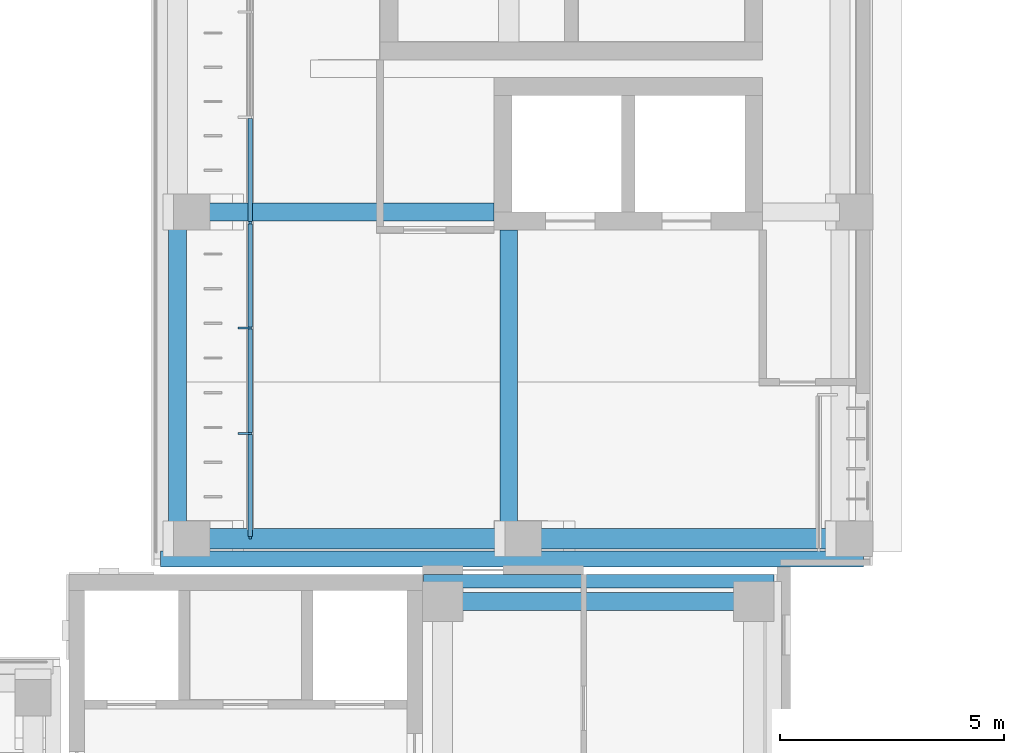
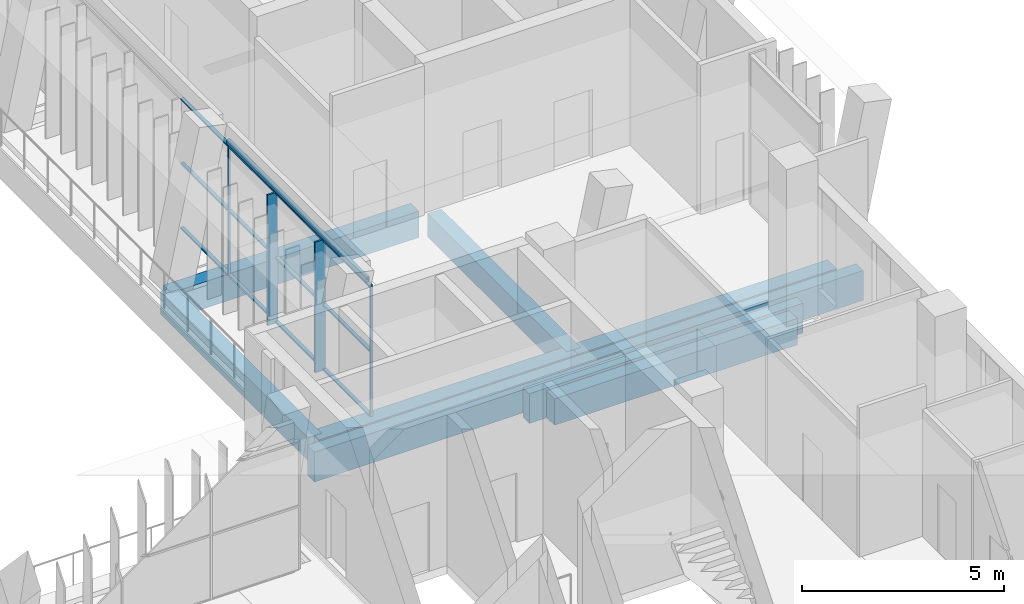
# One storey, part 77 of 141: 16 members, 9 beams, 1 element without a shape of its own.
"""IFC4 building model written with IfcOpenShell, lengths in metres."""

import ifcopenshell
import ifcopenshell.guid

model = None  # the IFC model being written
_history = None  # IfcOwnerHistory: only IFC2X3 demands one
_inside = {}  # id of a spatial element -> (the spatial element, [elements in it])
_under = {}  # id of a project, library or spatial element -> (it, [spatial elements below it])
_declared = {}  # id of a project -> (the project, [libraries it declares])
_typed = {}  # id of a type object -> (the type object, [elements of that type])
_made_of = {}  # id of a material, layer set ... -> (it, [elements and type objects made of it])


def new_model(schema):
    """Start an empty IFC model of exactly this schema.

    Asked for "IFC4X3", IfcOpenShell would pick the latest addendum, in which some entities
    have other attributes; the version numbers below select the first issue.
    IFC2X3 requires an IfcOwnerHistory on every rooted entity: one is made here for all.
    """
    global model, _history
    if schema == "IFC4X3":
        model = ifcopenshell.file(schema_version=(4, 3, 0, 0))
    else:
        model = ifcopenshell.file(schema=schema)
    _inside.clear()
    _under.clear()
    _declared.clear()
    _typed.clear()
    _made_of.clear()
    _history = None
    if model.schema == "IFC2X3":
        org = make("IfcOrganization", Name="unknown")
        user = make(
            "IfcPersonAndOrganization",
            ThePerson=make("IfcPerson", FamilyName="unknown"),
            TheOrganization=org,
        )
        app = make(
            "IfcApplication",
            ApplicationDeveloper=org,
            Version="unknown",
            ApplicationFullName="unknown",
            ApplicationIdentifier="unknown",
        )
        _history = make(
            "IfcOwnerHistory",
            OwningUser=user,
            OwningApplication=app,
            ChangeAction="ADDED",
            CreationDate=0,
        )
    return model


def make(cls, **values):
    """One entity of the class cls with the attributes given. An attribute that is None is left unset."""
    return model.create_entity(
        cls, **{name: value for name, value in values.items() if value is not None}
    )


def rooted(cls, **values):
    """An entity with a GlobalId (a new one), such as an element, a storey or a relation."""
    return make(cls, GlobalId=ifcopenshell.guid.new(), OwnerHistory=_history, **values)


def si_unit(unit_type, name, prefix=None):
    """IfcSIUnit, for example si_unit("LENGTHUNIT", "METRE", prefix="MILLI")."""
    return make("IfcSIUnit", UnitType=unit_type, Prefix=prefix, Name=name)


def assignment(units):
    """IfcUnitAssignment: the units of a project."""
    return None if units is None else make("IfcUnitAssignment", Units=units)


def point(xyz):
    """IfcCartesianPoint."""
    return None if xyz is None else make("IfcCartesianPoint", Coordinates=xyz)


def direction(xyz):
    """IfcDirection."""
    return None if xyz is None else make("IfcDirection", DirectionRatios=xyz)


def frame(location, z_axis=None, x_axis=None):
    """IfcAxis2Placement3D, a coordinate frame: its origin and axes. An axis left out is left unset."""
    return make(
        "IfcAxis2Placement3D",
        Location=point(location),
        Axis=direction(z_axis),
        RefDirection=direction(x_axis),
    )


def frame_2d(location, x_axis=None):
    """IfcAxis2Placement2D, a coordinate frame in the plane: its origin and x axis."""
    return make(
        "IfcAxis2Placement2D", Location=point(location), RefDirection=direction(x_axis)
    )


def origin():
    """The frame at (0, 0, 0) with its axes left unset."""
    return frame((0.0, 0.0, 0.0))


def origin_2d():
    """The frame at (0, 0) in the plane with its x axis left unset."""
    return frame_2d((0.0, 0.0))


def place(relative_to, where):
    """IfcLocalPlacement: puts the frame where relative to a parent placement (None: the world)."""
    return make(
        "IfcLocalPlacement", PlacementRelTo=relative_to, RelativePlacement=where
    )


def context(
    kind, dimensions, precision=None, world=None, true_north=None, identifier=None
):
    """IfcGeometricRepresentationContext, for example the 3D "Model" context."""
    return make(
        "IfcGeometricRepresentationContext",
        ContextIdentifier=identifier,
        ContextType=kind,
        CoordinateSpaceDimension=dimensions,
        Precision=precision,
        WorldCoordinateSystem=world,
        TrueNorth=true_north,
    )


def subcontext(parent, identifier, kind, view, scale=None):
    """IfcGeometricRepresentationSubContext, for example "Body" below "Model"."""
    return make(
        "IfcGeometricRepresentationSubContext",
        ContextIdentifier=identifier,
        ContextType=kind,
        ParentContext=parent,
        TargetScale=scale,
        TargetView=view,
    )


def project(units=None, contexts=None):
    """IfcProject with its units and contexts."""
    return rooted(
        "IfcProject",
        Name="project",
        RepresentationContexts=contexts,
        UnitsInContext=assignment(units),
    )


def spatial(cls, under=None, at=None, **own):
    """A site, building, storey or space (cls), placed at a placement, below another one or the project."""
    s = rooted(cls, ObjectPlacement=at, **own)
    if under is not None:
        _under.setdefault(under.id(), (under, []))[1].append(s)
    return s


def profile(cls, at=None, kind="AREA", **sizes):
    """A parametric profile (cls). Its sizes go by their IFC names, for example OverallWidth=200.0."""
    return make(cls, ProfileType=kind, Position=at, **sizes)


def rectangle(**sizes):
    """IfcRectangleProfileDef."""
    return profile("IfcRectangleProfileDef", **sizes)


def hollow_rectangle(**sizes):
    """IfcRectangleHollowProfileDef."""
    return profile("IfcRectangleHollowProfileDef", **sizes)


def extrude(swept, where, along, depth):
    """IfcExtrudedAreaSolid: the profile swept, set in the frame where, extruded along a direction by depth."""
    return make(
        "IfcExtrudedAreaSolid",
        SweptArea=swept,
        Position=where,
        ExtrudedDirection=direction(along),
        Depth=depth,
    )


def shape(context_of_items, identifier, shape_type, items):
    """IfcShapeRepresentation: the items that make up one representation, for example the "Body"."""
    return make(
        "IfcShapeRepresentation",
        ContextOfItems=context_of_items,
        RepresentationIdentifier=identifier,
        RepresentationType=shape_type,
        Items=items,
    )


def material(Name=None, Category=None):
    """IfcMaterial."""
    return make("IfcMaterial", Name=Name, Category=Category)


def material_profile(
    of_material, cross_section, Name=None, Category=None, Priority=None
):
    """IfcMaterialProfile: a cross section and its material."""
    return make(
        "IfcMaterialProfile",
        Name=Name,
        Material=of_material,
        Profile=cross_section,
        Priority=Priority,
        Category=Category,
    )


def profile_set(profiles, Name=None, composite=None):
    """IfcMaterialProfileSet."""
    return make(
        "IfcMaterialProfileSet",
        Name=Name,
        MaterialProfiles=profiles,
        CompositeProfile=composite,
    )


def made_of(thing, what):
    """Note that an element or type object is made of a material, layer set ...; save() writes the relation."""
    if what is not None:
        _made_of.setdefault(what.id(), (what, []))[1].append(thing)
    return thing


def type_object(cls, material=None, **own):
    """A type object (cls), such as IfcWallType, which elements share."""
    return made_of(rooted(cls, **own), material)


def element(
    cls,
    number,
    at=None,
    inside=None,
    cuts=None,
    type_object=None,
    material=None,
    context=None,
    identifier="Body",
    shape_type=None,
    held_by="IfcProductDefinitionShape",
    body=None,
    shapes=None,
    **own,
):
    """One element of the class cls, such as IfcWall. Its Tag is "e" and its number.

    at: its placement. inside: the storey or other place that contains it. cuts: it is an
    opening in that element (IfcRelVoidsElement). A single representation is given by context,
    identifier, shape_type and body (its items); several are given by shapes. held_by: the class
    of the entity that holds the representations. save() writes the other relations.
    """
    e = rooted(cls, Tag="e%d" % number, ObjectPlacement=at, **own)
    if body is not None:
        shapes = [shape(context, identifier, shape_type, body)]
    if shapes is not None:
        e.Representation = make(held_by, Representations=shapes)
    if inside is not None:
        _inside.setdefault(inside.id(), (inside, []))[1].append(e)
    if cuts is not None:
        rooted(
            "IfcRelVoidsElement", RelatingBuildingElement=cuts, RelatedOpeningElement=e
        )
    if type_object is not None:
        _typed.setdefault(type_object.id(), (type_object, []))[1].append(e)
    return made_of(e, material)


def aggregate(whole, parts):
    """IfcRelAggregates: a whole, such as a stair, and the parts it consists of."""
    return rooted("IfcRelAggregates", RelatingObject=whole, RelatedObjects=parts)


def save(model, path):
    """Write the relations noted so far, then the file.

    IfcRelAggregates (storeys below a building ...), IfcRelContainedInSpatialStructure (elements
    in a storey), IfcRelDefinesByType, IfcRelAssociatesMaterial and IfcRelDeclares: one each for
    every whole, place, type object, material and project.
    """
    for whole, parts in _under.values():
        aggregate(whole, parts)
    for where, things in _inside.values():
        rooted(
            "IfcRelContainedInSpatialStructure",
            RelatedElements=things,
            RelatingStructure=where,
        )
    for kind, things in _typed.values():
        rooted("IfcRelDefinesByType", RelatedObjects=things, RelatingType=kind)
    for what, things in _made_of.values():
        rooted("IfcRelAssociatesMaterial", RelatedObjects=things, RelatingMaterial=what)
    for by, libraries in _declared.values():
        rooted("IfcRelDeclares", RelatingContext=by, RelatedDefinitions=libraries)
    model.write(path)


model = new_model("IFC4")

# Units and contexts
model_context = context("Model", 3, precision=1e-05, world=origin(), true_north=direction((0.0, 1.0)))
body_context = subcontext(model_context, "Body", "Model", "MODEL_VIEW")
ifc_project = project(units=[si_unit("LENGTHUNIT", "METRE"), si_unit("AREAUNIT", "SQUARE_METRE"), si_unit("VOLUMEUNIT", "CUBIC_METRE"), si_unit("PLANEANGLEUNIT", "RADIAN"), si_unit("MASSUNIT", "GRAM", prefix="KILO")], contexts=[model_context])

# Site, building, storey
site_placement = place(None, origin())
site = spatial("IfcSite", under=ifc_project, at=site_placement, CompositionType="ELEMENT")
building_placement = place(site_placement, origin())
building = spatial("IfcBuilding", under=site, at=building_placement, Name="Lantern Court Media Centre", CompositionType="ELEMENT")
storey_placement = place(building_placement, frame((0.0, 0.0, 9.60009765625)))
storey = spatial("IfcBuildingStorey", under=building, at=storey_placement, Name="L02", CompositionType="ELEMENT", Elevation=9.60009765625)

# Curtain wall, members
ifc_material_1 = material(Name="Curtain wall bay 2400")
curtain_wall_type = type_object("IfcCurtainWallType", Name="Curtain wall bay 2400", PredefinedType="NOTDEFINED", material=ifc_material_1)
curtain_wall_placement = place(storey_placement, origin())
curtain_wall = element("IfcCurtainWall", 1, at=curtain_wall_placement, inside=storey, type_object=curtain_wall_type, Name="Curtain wall E inner L02", PredefinedType="NOTDEFINED")
ifc_material_2 = material(Name="Anodised aluminium", Category="aluminium")
ifc_material_profile_1 = material_profile(ifc_material_2, rectangle(XDim=0.300048828125, YDim=0.050048828125, at=origin_2d()), Name="AL 50x300")
ifc_profile_set_1 = profile_set([ifc_material_profile_1], Name="Anodised aluminium")
member_type_1 = type_object("IfcMemberType", Name="Curtain wall mullion 50x300", PredefinedType="MULLION", material=ifc_profile_set_1)
member_1_placement = place(storey_placement, frame((84.030029296875, 67.053955078125, 0.0), z_axis=(0.0, 0.0, 1.0), x_axis=(-1.0, 0.0, 0.0)))
member_1 = element("IfcMember", 2, at=member_1_placement, type_object=member_type_1, Name="CW2 mullion 2", PredefinedType="MULLION", context=body_context, shape_type="SweptSolid", body=[
    extrude(rectangle(XDim=0.300048828125, YDim=0.050048828125, at=origin_2d()), origin(), (0.0, 0.0, 1.0), 3.949951171875),
])
member_2_placement = place(storey_placement, frame((84.030029296875, 69.40771484375, 0.0), z_axis=(0.0, 0.0, 1.0), x_axis=(-1.0, 0.0, 0.0)))
member_2 = element("IfcMember", 3, at=member_2_placement, type_object=member_type_1, Name="CW2 mullion 3", PredefinedType="MULLION", context=body_context, shape_type="SweptSolid", body=[
    extrude(rectangle(XDim=0.300048828125, YDim=0.050048828125, at=origin_2d()), origin(), (0.0, 0.0, 1.0), 3.949951171875),
])
ifc_material_profile_2 = material_profile(ifc_material_2, rectangle(XDim=0.06005859375, YDim=0.050048828125, at=origin_2d()), Name="AL 50x60")
ifc_profile_set_2 = profile_set([ifc_material_profile_2], Name="Anodised aluminium")
member_type_2 = type_object("IfcMemberType", Name="Curtain wall mullion 50x60", PredefinedType="MULLION", material=ifc_profile_set_2)
member_3_placement = place(storey_placement, frame((84.14990234375, 64.72509765625, 0.0), z_axis=(0.0, 0.0, 1.0), x_axis=(-1.0, 0.0, 0.0)))
member_3 = element("IfcMember", 4, at=member_3_placement, type_object=member_type_2, Name="CW2 mullion 1", PredefinedType="MULLION", context=body_context, shape_type="SweptSolid", body=[
    extrude(rectangle(XDim=0.06005859375, YDim=0.050048828125, at=origin_2d()), origin(), (0.0, 0.0, 1.0), 3.949951171875),
])
member_4_placement = place(storey_placement, frame((84.14990234375, 71.761474609375, 0.0), z_axis=(0.0, 0.0, 1.0), x_axis=(-1.0, 0.0, 0.0)))
member_4 = element("IfcMember", 5, at=member_4_placement, type_object=member_type_2, Name="CW2 mullion 4", PredefinedType="MULLION", context=body_context, shape_type="SweptSolid", body=[
    extrude(rectangle(XDim=0.06005859375, YDim=0.050048828125, at=origin_2d()), origin(), (0.0, 0.0, 1.0), 3.949951171875),
])
ifc_material_profile_3 = material_profile(ifc_material_2, rectangle(XDim=0.10009765625, YDim=0.050048828125, at=origin_2d()), Name="AL 50x100")
ifc_profile_set_3 = profile_set([ifc_material_profile_3], Name="Anodised aluminium")
member_type_3 = type_object("IfcMemberType", Name="Curtain wall transom 100x50", PredefinedType="USERDEFINED", material=ifc_profile_set_3)
member_5_placement = place(storey_placement, frame((84.14990234375, 64.75, 0.02490234375), z_axis=(0.0, 1.0, 0.0), x_axis=(-1.0, 0.0, 0.0)))
member_5 = element("IfcMember", 6, at=member_5_placement, type_object=member_type_3, Name="CW2 transom 1.1", ObjectType="TRANSOM", PredefinedType="USERDEFINED", context=body_context, shape_type="SweptSolid", body=[
    extrude(rectangle(XDim=0.10009765625, YDim=0.050048828125, at=origin_2d()), origin(), (0.0, 0.0, 1.0), 2.27880859375),
])
member_6_placement = place(storey_placement, frame((84.14990234375, 64.75, 1.974853515625), z_axis=(0.0, 1.0, 0.0), x_axis=(-1.0, 0.0, 0.0)))
member_6 = element("IfcMember", 7, at=member_6_placement, type_object=member_type_3, Name="CW2 transom 1.2", ObjectType="TRANSOM", PredefinedType="USERDEFINED", context=body_context, shape_type="SweptSolid", body=[
    extrude(rectangle(XDim=0.10009765625, YDim=0.050048828125, at=origin_2d()), origin(), (0.0, 0.0, 1.0), 2.27880859375),
])
member_7_placement = place(storey_placement, frame((84.14990234375, 64.75, 3.9248046875), z_axis=(0.0, 1.0, 0.0), x_axis=(-1.0, 0.0, 0.0)))
member_7 = element("IfcMember", 8, at=member_7_placement, type_object=member_type_3, Name="CW2 transom 1.3", ObjectType="TRANSOM", PredefinedType="USERDEFINED", context=body_context, shape_type="SweptSolid", body=[
    extrude(rectangle(XDim=0.10009765625, YDim=0.050048828125, at=origin_2d()), origin(), (0.0, 0.0, 1.0), 2.27880859375),
])
member_8_placement = place(storey_placement, frame((84.14990234375, 67.078857421875, 0.02490234375), z_axis=(0.0, 1.0, 0.0), x_axis=(-1.0, 0.0, 0.0)))
member_8 = element("IfcMember", 9, at=member_8_placement, type_object=member_type_3, Name="CW2 transom 2.1", ObjectType="TRANSOM", PredefinedType="USERDEFINED", context=body_context, shape_type="SweptSolid", body=[
    extrude(rectangle(XDim=0.10009765625, YDim=0.050048828125, at=origin_2d()), origin(), (0.0, 0.0, 1.0), 2.303955078125),
])
member_9_placement = place(storey_placement, frame((84.14990234375, 67.078857421875, 1.974853515625), z_axis=(0.0, 1.0, 0.0), x_axis=(-1.0, 0.0, 0.0)))
member_9 = element("IfcMember", 10, at=member_9_placement, type_object=member_type_3, Name="CW2 transom 2.2", ObjectType="TRANSOM", PredefinedType="USERDEFINED", context=body_context, shape_type="SweptSolid", body=[
    extrude(rectangle(XDim=0.10009765625, YDim=0.050048828125, at=origin_2d()), origin(), (0.0, 0.0, 1.0), 2.303955078125),
])
member_10_placement = place(storey_placement, frame((84.14990234375, 67.078857421875, 3.9248046875), z_axis=(0.0, 1.0, 0.0), x_axis=(-1.0, 0.0, 0.0)))
member_10 = element("IfcMember", 11, at=member_10_placement, type_object=member_type_3, Name="CW2 transom 2.3", ObjectType="TRANSOM", PredefinedType="USERDEFINED", context=body_context, shape_type="SweptSolid", body=[
    extrude(rectangle(XDim=0.10009765625, YDim=0.050048828125, at=origin_2d()), origin(), (0.0, 0.0, 1.0), 2.303955078125),
])
member_11_placement = place(storey_placement, frame((84.14990234375, 69.4326171875, 0.02490234375), z_axis=(0.0, 1.0, 0.0), x_axis=(-1.0, 0.0, 0.0)))
member_11 = element("IfcMember", 12, at=member_11_placement, type_object=member_type_3, Name="CW2 transom 3.1", ObjectType="TRANSOM", PredefinedType="USERDEFINED", context=body_context, shape_type="SweptSolid", body=[
    extrude(rectangle(XDim=0.10009765625, YDim=0.050048828125, at=origin_2d()), origin(), (0.0, 0.0, 1.0), 2.303955078125),
])
member_12_placement = place(storey_placement, frame((84.14990234375, 69.4326171875, 1.974853515625), z_axis=(0.0, 1.0, 0.0), x_axis=(-1.0, 0.0, 0.0)))
member_12 = element("IfcMember", 13, at=member_12_placement, type_object=member_type_3, Name="CW2 transom 3.2", ObjectType="TRANSOM", PredefinedType="USERDEFINED", context=body_context, shape_type="SweptSolid", body=[
    extrude(rectangle(XDim=0.10009765625, YDim=0.050048828125, at=origin_2d()), origin(), (0.0, 0.0, 1.0), 2.303955078125),
])
member_13_placement = place(storey_placement, frame((84.14990234375, 69.4326171875, 3.9248046875), z_axis=(0.0, 1.0, 0.0), x_axis=(-1.0, 0.0, 0.0)))
member_13 = element("IfcMember", 14, at=member_13_placement, type_object=member_type_3, Name="CW2 transom 3.3", ObjectType="TRANSOM", PredefinedType="USERDEFINED", context=body_context, shape_type="SweptSolid", body=[
    extrude(rectangle(XDim=0.10009765625, YDim=0.050048828125, at=origin_2d()), origin(), (0.0, 0.0, 1.0), 2.303955078125),
])
member_14_placement = place(storey_placement, frame((84.14990234375, 71.78662109375, 0.02490234375), z_axis=(0.0, 1.0, 0.0), x_axis=(-1.0, 0.0, 0.0)))
member_14 = element("IfcMember", 15, at=member_14_placement, type_object=member_type_3, Name="CW2 transom 4.1", ObjectType="TRANSOM", PredefinedType="USERDEFINED", context=body_context, shape_type="SweptSolid", body=[
    extrude(rectangle(XDim=0.10009765625, YDim=0.050048828125, at=origin_2d()), origin(), (0.0, 0.0, 1.0), 2.3037109375),
])
member_15_placement = place(storey_placement, frame((84.14990234375, 71.78662109375, 1.974853515625), z_axis=(0.0, 1.0, 0.0), x_axis=(-1.0, 0.0, 0.0)))
member_15 = element("IfcMember", 16, at=member_15_placement, type_object=member_type_3, Name="CW2 transom 4.2", ObjectType="TRANSOM", PredefinedType="USERDEFINED", context=body_context, shape_type="SweptSolid", body=[
    extrude(rectangle(XDim=0.10009765625, YDim=0.050048828125, at=origin_2d()), origin(), (0.0, 0.0, 1.0), 2.3037109375),
])
member_16_placement = place(storey_placement, frame((84.14990234375, 71.78662109375, 3.9248046875), z_axis=(0.0, 1.0, 0.0), x_axis=(-1.0, 0.0, 0.0)))
member_16 = element("IfcMember", 17, at=member_16_placement, type_object=member_type_3, Name="CW2 transom 4.3", ObjectType="TRANSOM", PredefinedType="USERDEFINED", context=body_context, shape_type="SweptSolid", body=[
    extrude(rectangle(XDim=0.10009765625, YDim=0.050048828125, at=origin_2d()), origin(), (0.0, 0.0, 1.0), 2.3037109375),
])
aggregate(curtain_wall, [member_3, member_1, member_2, member_4, member_5, member_6, member_7, member_8, member_9, member_10, member_11, member_12, member_13, member_14, member_15, member_16])

# Beams
ifc_material_3 = material(Name="Steel S355J2 (EN 10025-2)", Category="steel")
ifc_material_profile_4 = material_profile(ifc_material_3, hollow_rectangle(XDim=0.10009765625, YDim=0.14990234375, WallThickness=0.00634765625, InnerFilletRadius=0.00634765625, OuterFilletRadius=0.009521484375, at=origin_2d()), Name="Facade head lintel RHS 150x100x6.3")
ifc_profile_set_4 = profile_set([ifc_material_profile_4], Name="Steel S355J2 (EN 10025-2)")
beam_type_1 = type_object("IfcBeamType", Name="Facade head lintel RHS 150x100x6.3", PredefinedType="BEAM", material=ifc_profile_set_4)
beam_1_placement = place(storey_placement, frame((84.14990234375, 64.89990234375, 4.02490234375), z_axis=(0.0, 1.0, 0.0), x_axis=(-1.0, 0.0, 0.0)))
element("IfcBeam", 18, at=beam_1_placement, inside=storey, type_object=beam_type_1, Name="Facade head lintel E L02", PredefinedType="BEAM", context=body_context, shape_type="SweptSolid", body=[
    extrude(hollow_rectangle(XDim=0.10009765625, YDim=0.14990234375, WallThickness=0.00634765625, InnerFilletRadius=0.00634765625, OuterFilletRadius=0.009521484375, at=origin_2d()), origin(), (0.0, 0.0, 1.0), 6.900146484375),
])
ifc_material_4 = material(Name="Concrete C35", Category="concrete")
ifc_material_profile_5 = material_profile(ifc_material_4, rectangle(XDim=0.300048828125, YDim=0.89990234375, at=origin_2d()), Name="RC 300x900")
ifc_profile_set_5 = profile_set([ifc_material_profile_5], Name="Concrete C35")
beam_type_2 = type_object("IfcBeamType", Name="RC BEAM 300x900", PredefinedType="BEAM", material=ifc_profile_set_5)
beam_2_placement = place(storey_placement, frame((88.02001953125, 63.75, -0.4501953125), z_axis=(1.0, 0.0, 0.0), x_axis=(0.0, 1.0, 0.0)))
element("IfcBeam", 19, at=beam_2_placement, inside=storey, type_object=beam_type_2, Name="EB-SE-L02-N", PredefinedType="BEAM", context=body_context, shape_type="SweptSolid", body=[
    extrude(rectangle(XDim=0.300048828125, YDim=0.89990234375, at=origin_2d()), origin(), (0.0, 0.0, 1.0), 7.830078125),
])
ifc_material_profile_6 = material_profile(ifc_material_4, rectangle(XDim=0.35009765625, YDim=0.89990234375, at=origin_2d()), Name="RC 350x900")
ifc_profile_set_6 = profile_set([ifc_material_profile_6], Name="Concrete C35")
beam_type_3 = type_object("IfcBeamType", Name="RC BEAM 350x900", PredefinedType="BEAM", material=ifc_profile_set_6)
beam_3_placement = place(storey_placement, frame((82.14990234375, 64.25, -0.4501953125), z_axis=(1.0, 0.0, 0.0), x_axis=(0.0, 1.0, 0.0)))
element("IfcBeam", 20, at=beam_3_placement, inside=storey, type_object=beam_type_3, Name="EB-E-L02-C", PredefinedType="BEAM", context=body_context, shape_type="SweptSolid", body=[
    extrude(rectangle(XDim=0.35009765625, YDim=0.89990234375, at=origin_2d()), origin(), (0.0, 0.0, 1.0), 15.7001953125),
])
ifc_material_profile_7 = material_profile(ifc_material_4, rectangle(XDim=0.39990234375, YDim=0.699951171875, at=origin_2d()), Name="RC 400x700")
ifc_profile_set_7 = profile_set([ifc_material_profile_7], Name="Concrete C35")
beam_type_4 = type_object("IfcBeamType", Name="RC BEAM 400x700", PredefinedType="BEAM", material=ifc_profile_set_7)
beam_4_placement = place(storey_placement, frame((82.527099609375, 64.699951171875, -0.35009765625), z_axis=(0.0, 1.0, 0.0), x_axis=(-1.0, 0.0, 0.0)))
element("IfcBeam", 21, at=beam_4_placement, inside=storey, type_object=beam_type_4, Name="LB-E-L02-0-0", PredefinedType="BEAM", context=body_context, shape_type="SweptSolid", body=[
    extrude(rectangle(XDim=0.39990234375, YDim=0.699951171875, at=origin_2d()), origin(), (0.0, 0.0, 1.0), 7.300048828125),
])
beam_5_placement = place(storey_placement, frame((89.927001953125, 64.699951171875, -0.35009765625), z_axis=(0.0, 1.0, 0.0), x_axis=(-1.0, 0.0, 0.0)))
element("IfcBeam", 22, at=beam_5_placement, inside=storey, type_object=beam_type_4, Name="LB-E-L02-1-0", PredefinedType="BEAM", context=body_context, shape_type="SweptSolid", body=[
    extrude(rectangle(XDim=0.39990234375, YDim=0.699951171875, at=origin_2d()), origin(), (0.0, 0.0, 1.0), 6.900146484375),
])
ifc_material_profile_8 = material_profile(ifc_material_4, rectangle(XDim=0.39990234375, YDim=0.800048828125, at=origin_2d()), Name="RC 400x800")
ifc_profile_set_8 = profile_set([ifc_material_profile_8], Name="Concrete C35")
beam_type_5 = type_object("IfcBeamType", Name="RC BEAM 400x800", PredefinedType="BEAM", material=ifc_profile_set_8)
beam_6_placement = place(storey_placement, frame((88.449951171875, 63.300048828125, -0.400146484375), z_axis=(1.0, 0.0, 0.0), x_axis=(0.0, 1.0, 0.0)))
element("IfcBeam", 23, at=beam_6_placement, inside=storey, type_object=beam_type_5, Name="BB-SE-L02-Y0-63", PredefinedType="BEAM", context=body_context, shape_type="SweptSolid", body=[
    extrude(rectangle(XDim=0.39990234375, YDim=0.800048828125, at=origin_2d()), origin(), (0.0, 0.0, 1.0), 6.949951171875),
])
beam_7_placement = place(storey_placement, frame((82.5166015625, 72.0, -0.400146484375), z_axis=(1.0, 0.0, 0.0), x_axis=(0.0, 1.0, 0.0)))
element("IfcBeam", 24, at=beam_7_placement, inside=storey, type_object=beam_type_5, Name="TB-E-L02-1-1", PredefinedType="BEAM", context=body_context, shape_type="SweptSolid", body=[
    extrude(rectangle(XDim=0.39990234375, YDim=0.800048828125, at=origin_2d()), origin(), (0.0, 0.0, 1.0), 7.08349609375),
])
ifc_material_profile_9 = material_profile(ifc_material_4, rectangle(XDim=0.449951171875, YDim=0.800048828125, at=origin_2d()), Name="RC 450x800")
ifc_profile_set_9 = profile_set([ifc_material_profile_9], Name="Concrete C35")
beam_type_6 = type_object("IfcBeamType", Name="RC BEAM 450x800", PredefinedType="BEAM", material=ifc_profile_set_9)
beam_8_placement = place(storey_placement, frame((82.5166015625, 64.699951171875, -0.400146484375), z_axis=(1.0, 0.0, 0.0), x_axis=(0.0, 1.0, 0.0)))
element("IfcBeam", 25, at=beam_8_placement, inside=storey, type_object=beam_type_6, Name="TB-E-L02-0-1", PredefinedType="BEAM", context=body_context, shape_type="SweptSolid", body=[
    extrude(rectangle(XDim=0.449951171875, YDim=0.800048828125, at=origin_2d()), origin(), (0.0, 0.0, 1.0), 7.400146484375),
])
beam_9_placement = place(storey_placement, frame((89.916748046875, 64.699951171875, -0.400146484375), z_axis=(1.0, 0.0, 0.0), x_axis=(0.0, 1.0, 0.0)))
element("IfcBeam", 26, at=beam_9_placement, inside=storey, type_object=beam_type_6, Name="TB-E-L02-0-2", PredefinedType="BEAM", context=body_context, shape_type="SweptSolid", body=[
    extrude(rectangle(XDim=0.449951171875, YDim=0.800048828125, at=origin_2d()), origin(), (0.0, 0.0, 1.0), 7.39990234375),
])

save(model, "model.ifc")
